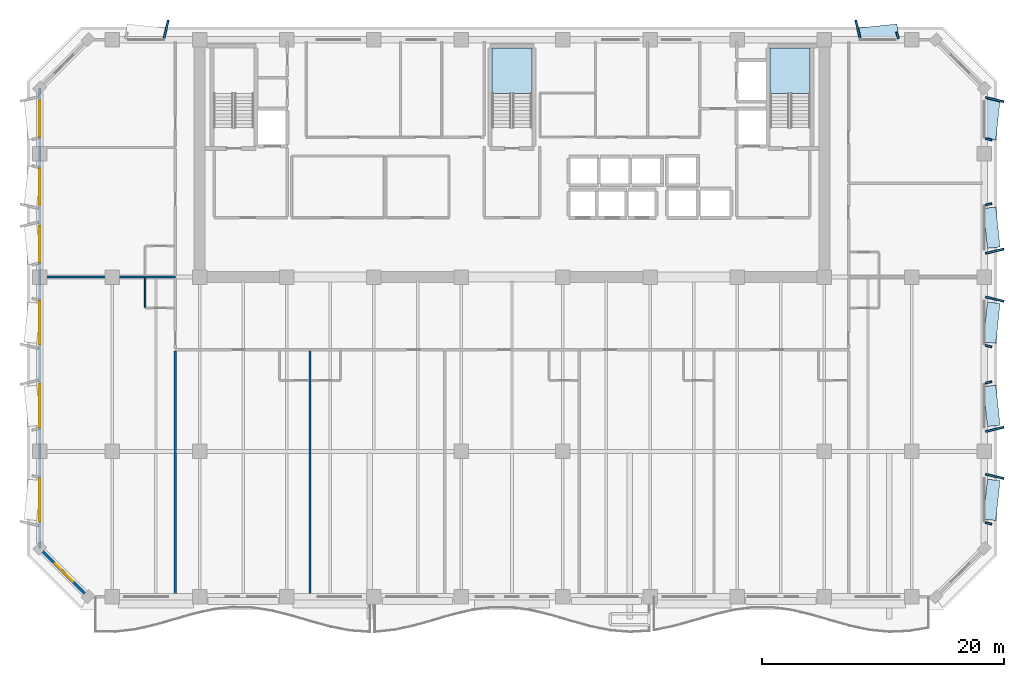
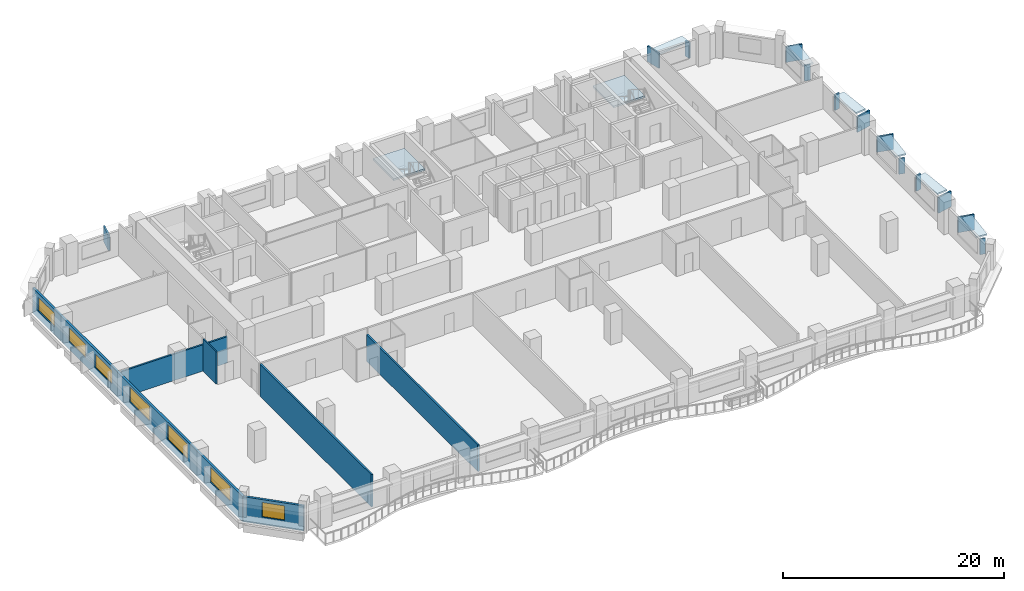
# One storey, part 3 of 14: 19 plates, 7 windows, 6 walls, 2 slabs, 7 openings, 2 elements without a shape of their own.
"""IFC4 building model written with IfcOpenShell, lengths in metres."""

from ifc_helpers import new_model, si_unit, direction, frame, frame_2d, origin, origin_2d, place, context, subcontext, project, spatial, polyline, rectangle, outline, extrude, material, layer, layer_set, type_object, element, fill, aggregate, save


model = new_model("IFC4")

# Units and contexts
model_context = context("Model", 3, precision=1e-05, world=origin(), true_north=direction((0.0, 1.0)))
body_context = subcontext(model_context, "Body", "Model", "MODEL_VIEW")
ifc_project = project(units=[si_unit("LENGTHUNIT", "METRE"), si_unit("AREAUNIT", "SQUARE_METRE"), si_unit("VOLUMEUNIT", "CUBIC_METRE"), si_unit("PLANEANGLEUNIT", "RADIAN"), si_unit("MASSUNIT", "GRAM", prefix="KILO")], contexts=[model_context])

# Site, building, storey
site_placement = place(None, origin())
site = spatial("IfcSite", under=ifc_project, at=site_placement, CompositionType="ELEMENT")
building_placement = place(site_placement, origin())
building = spatial("IfcBuilding", under=site, at=building_placement, Name="Kaelvorn Grand Hotel", CompositionType="ELEMENT")
storey_placement = place(building_placement, frame((0.0, 0.0, 209.14990234375)))
storey = spatial("IfcBuildingStorey", under=building, at=storey_placement, Name="L51", CompositionType="ELEMENT", Elevation=209.14990234375)

# Plates
ifc_material_1 = material(Name="Precast concrete C45/55", Category="concrete")
ifc_layer_1 = layer(ifc_material_1, 0.159912109375)
ifc_layer_set_1 = layer_set([ifc_layer_1], Name="Precast concrete C45/55")
plate_type_1 = type_object("IfcPlateType", Name="PL-FRAME-DEEP-1550", PredefinedType="USERDEFINED", material=ifc_layer_set_1)
for number, where, z_axis, x_axis, name in (
    (1, (81.85498046875, 12.93994140625, 0.81494140625), (0.0, 0.0, 1.0), (0.233445363856, 0.972369920398, 0.0), "L51 Tilted Precast Window Frame Fin R-E01"),
    (2, (81.85498046875, 16.824951171875, 0.81494140625), (0.0, 0.0, 1.0), (-0.233445363856, 0.972369920398, 0.0), "L51 Tilted Precast Window Frame Fin L-E02"),
    (3, (81.85498046875, 27.574951171875, 0.81494140625), (0.0, 0.0, 1.0), (0.233445363856, 0.972369920398, 0.0), "L51 Tilted Precast Window Frame Fin R-E03"),
    (4, (81.85498046875, 31.534912109375, 0.81494140625), (0.0, 0.0, 1.0), (-0.233445363856, 0.972369920398, 0.0), "L51 Tilted Precast Window Frame Fin L-E04"),
    (5, (81.85498046875, 44.054931640625, 0.740234375), (0.0, 0.0, 1.0), (0.233445363856, 0.972369920398, 0.0), "L51 Tilted Precast Window Frame Fin R-E05"),
    (6, (13.43994140625, 49.85498046875, 0.740234375), (0.0, 0.0, 1.0), (0.972369920398, -0.233445363856, 0.0), "L51 Tilted Precast Window Frame Fin R-N01"),
    (7, (70.56005859375, 49.85498046875, 0.740234375), (0.0, 0.0, 1.0), (0.972369920398, 0.233445363856, 0.0), "L51 Tilted Precast Window Frame Fin L-N02"),
):
    element("IfcPlate", number, at=place(storey_placement, frame(where, z_axis=z_axis, x_axis=x_axis)), inside=storey, type_object=plate_type_1, Name=name, ObjectType="FLANGE_PLATE", PredefinedType="USERDEFINED", context=body_context, shape_type="SweptSolid", body=[
        extrude(rectangle(XDim=0.159912109375, YDim=1.550048828125, at=origin_2d()), origin(), (0.0, 0.0, 1.0), 1.719970703125),
    ])
ifc_layer_2 = layer(ifc_material_1, 0.159912109375)
ifc_layer_set_2 = layer_set([ifc_layer_2], Name="Precast concrete C45/55")
plate_type_2 = type_object("IfcPlateType", Name="PL-FRAME-HEAD-1050", PredefinedType="USERDEFINED", material=ifc_layer_set_2)
for number, where, z_axis, x_axis, name in (
    (8, (81.60498046875, 11.0, 2.5), (0.0, 0.0, 1.0), (0.105830199459, 0.994384215926, 0.0), "L51 Precast Window Frame Head Hood H-E01"),
    (9, (81.60498046875, 18.764892578125, 2.5), (0.0, 0.0, 1.0), (-0.105830199459, 0.994384215926, 0.0), "L51 Precast Window Frame Head Hood H-E02"),
    (10, (81.60498046875, 25.635009765625, 2.5), (0.0, 0.0, 1.0), (0.105830199459, 0.994384215926, 0.0), "L51 Precast Window Frame Head Hood H-E03"),
    (11, (81.60498046875, 33.47509765625, 2.5), (0.0, 0.0, 1.0), (-0.105830199459, 0.994384215926, 0.0), "L51 Precast Window Frame Head Hood H-E04"),
    (12, (81.60498046875, 42.4150390625, 2.35009765625), (0.0, 0.0, 1.0), (0.105830199459, 0.994384215926, 0.0), "L51 Precast Window Frame Head Hood H-E05"),
    (13, (72.199951171875, 49.60498046875, 2.35009765625), (0.0, 0.0, 1.0), (0.994384215926, 0.105830199459, 0.0), "L51 Precast Window Frame Head Hood H-N02"),
):
    element("IfcPlate", number, at=place(storey_placement, frame(where, z_axis=z_axis, x_axis=x_axis)), inside=storey, type_object=plate_type_2, Name=name, ObjectType="FLANGE_PLATE", PredefinedType="USERDEFINED", context=body_context, shape_type="SweptSolid", body=[
        extrude(rectangle(XDim=3.320068359375, YDim=1.050048828125, at=origin_2d()), origin(), (0.0, 0.0, 1.0), 0.159912109375),
    ])
ifc_layer_3 = layer(ifc_material_1, 0.159912109375)
ifc_layer_set_3 = layer_set([ifc_layer_3], Name="Precast concrete C45/55")
plate_type_3 = type_object("IfcPlateType", Name="PL-FRAME-SHAL-550", PredefinedType="USERDEFINED", material=ifc_layer_set_3)
for number, where, z_axis, x_axis, name in (
    (14, (81.35498046875, 9.06005859375, 0.81494140625), (0.0, 0.0, 1.0), (0.233445363856, 0.972369920398, 0.0), "L51 Tilted Precast Window Frame Fin L-E01"),
    (15, (81.35498046875, 20.705078125, 0.81494140625), (0.0, 0.0, 1.0), (-0.233445363856, 0.972369920398, 0.0), "L51 Tilted Precast Window Frame Fin R-E02"),
    (16, (81.35498046875, 23.695068359375, 0.81494140625), (0.0, 0.0, 1.0), (0.233445363856, 0.972369920398, 0.0), "L51 Tilted Precast Window Frame Fin L-E03"),
    (17, (81.35498046875, 35.4150390625, 0.81494140625), (0.0, 0.0, 1.0), (-0.233445363856, 0.972369920398, 0.0), "L51 Tilted Precast Window Frame Fin R-E04"),
    (18, (81.35498046875, 40.77490234375, 0.740234375), (0.0, 0.0, 1.0), (0.233445363856, 0.972369920398, 0.0), "L51 Tilted Precast Window Frame Fin L-E05"),
    (19, (73.840087890625, 49.35498046875, 0.740234375), (0.0, 0.0, 1.0), (0.972369920398, 0.233445363856, 0.0), "L51 Tilted Precast Window Frame Fin R-N02"),
):
    element("IfcPlate", number, at=place(storey_placement, frame(where, z_axis=z_axis, x_axis=x_axis)), inside=storey, type_object=plate_type_3, Name=name, ObjectType="FLANGE_PLATE", PredefinedType="USERDEFINED", context=body_context, shape_type="SweptSolid", body=[
        extrude(rectangle(XDim=0.159912109375, YDim=0.550048828125, at=origin_2d()), origin(), (0.0, 0.0, 1.0), 1.719970703125),
    ])

# Stair, slab
ifc_material_2 = material(Name="Concrete C40/50", Category="concrete")
stair_type = type_object("IfcStairType", Name="STR-DOG-1560-R08", PredefinedType="HALF_TURN_STAIR", material=ifc_material_2)
stair_1_placement = place(storey_placement, origin())
stair_1 = element("IfcStair", 20, at=stair_1_placement, inside=storey, type_object=stair_type, Name="L51 Central Core Exit Stair ST2", PredefinedType="HALF_TURN_STAIR")
ifc_layer_4 = layer(ifc_material_2, 0.199951171875)
ifc_layer_set_4 = layer_set([ifc_layer_4], Name="Concrete C40/50")
slab_type = type_object("IfcSlabType", Name="SLB-LAND-200-C40", PredefinedType="LANDING", material=ifc_layer_set_4)
slab_1_placement = place(storey_placement, frame((0.0, 0.0, 1.7001953125)))
slab_1 = element("IfcSlab", 21, at=slab_1_placement, type_object=slab_type, Name="ST2 landing 1", PredefinedType="LANDING", context=body_context, shape_type="SweptSolid", body=[
    extrude(outline(polyline([(43.639892578125, 44.56005859375), (43.639892578125, 48.300048828125), (40.360107421875, 48.300048828125), (40.360107421875, 44.56005859375), (43.639892578125, 44.56005859375)])), origin(), (0.0, 0.0, 1.0), 0.199951171875),
])
aggregate(stair_1, [slab_1])

stair_2_placement = place(storey_placement, origin())
stair_2 = element("IfcStair", 22, at=stair_2_placement, inside=storey, type_object=stair_type, Name="L51 East Core Exit Stair ST3", PredefinedType="HALF_TURN_STAIR")
slab_2_placement = place(storey_placement, frame((0.0, 0.0, 1.7001953125)))
slab_2 = element("IfcSlab", 23, at=slab_2_placement, type_object=slab_type, Name="ST3 landing 1", PredefinedType="LANDING", context=body_context, shape_type="SweptSolid", body=[
    extrude(outline(polyline([(66.60009765625, 44.56005859375), (66.60009765625, 48.300048828125), (63.320068359375, 48.300048828125), (63.320068359375, 44.56005859375), (66.60009765625, 44.56005859375)])), origin(), (0.0, 0.0, 1.0), 0.199951171875),
])
aggregate(stair_2, [slab_2])

# Wall, openings, windows
ifc_layer_5 = layer(ifc_material_2, 0.239990234375)
ifc_layer_set_5 = layer_set([ifc_layer_5], Name="Concrete C40/50")
wall_type_1 = type_object("IfcWallType", Name="WL-EXT-240-C40", PredefinedType="SOLIDWALL", material=ifc_layer_set_5)
wall_1_placement = place(storey_placement, frame((3.0, 45.0, 0.0), z_axis=(0.0, 0.0, 1.0), x_axis=(0.0, -1.0, 0.0)))
wall_1 = element("IfcWall", 24, at=wall_1_placement, inside=storey, type_object=wall_type_1, Name="L51 Exterior Architectural Concrete Wall 07", PredefinedType="SOLIDWALL", context=body_context, shape_type="SweptSolid", body=[
    extrude(rectangle(XDim=38.0, YDim=0.239990234375, at=frame_2d((19.0, 0.0))), origin(), (0.0, 0.0, 1.0), 2.760009765625),
])
opening_1_placement = place(wall_1_placement, frame((32.199951171875, 0.0, 0.85009765625)))
opening_1 = element("IfcOpeningElement", 25, at=opening_1_placement, cuts=wall_1, Name="Opening W3", PredefinedType="OPENING", context=body_context, shape_type="SweptSolid", body=[
    extrude(rectangle(XDim=3.60009765625, YDim=1.64990234375, at=frame_2d((1.800048828125, 0.824951171875))), frame((0.0, 0.1298828125, 0.0), z_axis=(0.0, -1.0, 0.0), x_axis=(1.0, 0.0, 0.0)), (0.0, 0.0, 1.0), 0.260009765625),
])
opening_2_placement = place(wall_1_placement, frame((24.43505859375, 0.0, 0.85009765625)))
opening_2 = element("IfcOpeningElement", 26, at=opening_2_placement, cuts=wall_1, Name="Opening W3", PredefinedType="OPENING", context=body_context, shape_type="SweptSolid", body=[
    extrude(rectangle(XDim=3.60009765625, YDim=1.64990234375, at=frame_2d((1.800048828125, 0.824951171875))), frame((0.0, 0.1298828125, 0.0), z_axis=(0.0, -1.0, 0.0), x_axis=(1.0, 0.0, 0.0)), (0.0, 0.0, 1.0), 0.260009765625),
])
opening_3_placement = place(wall_1_placement, frame((17.56494140625, 0.0, 0.85009765625)))
opening_3 = element("IfcOpeningElement", 27, at=opening_3_placement, cuts=wall_1, Name="Opening W3", PredefinedType="OPENING", context=body_context, shape_type="SweptSolid", body=[
    extrude(rectangle(XDim=3.60009765625, YDim=1.64990234375, at=frame_2d((1.800048828125, 0.824951171875))), frame((0.0, 0.1298828125, 0.0), z_axis=(0.0, -1.0, 0.0), x_axis=(1.0, 0.0, 0.0)), (0.0, 0.0, 1.0), 0.260009765625),
])
opening_4_placement = place(wall_1_placement, frame((11.385009765625, 0.0, 0.85009765625)))
opening_4 = element("IfcOpeningElement", 28, at=opening_4_placement, cuts=wall_1, Name="Opening W5", PredefinedType="OPENING", context=body_context, shape_type="SweptSolid", body=[
    extrude(rectangle(XDim=3.0, YDim=1.5, at=frame_2d((1.5, 0.75))), frame((0.0, 0.1298828125, 0.0), z_axis=(0.0, -1.0, 0.0), x_axis=(1.0, 0.0, 0.0)), (0.0, 0.0, 1.0), 0.260009765625),
])
opening_5_placement = place(wall_1_placement, frame((6.614990234375, 0.0, 0.85009765625)))
opening_5 = element("IfcOpeningElement", 29, at=opening_5_placement, cuts=wall_1, Name="Opening W5", PredefinedType="OPENING", context=body_context, shape_type="SweptSolid", body=[
    extrude(rectangle(XDim=3.0, YDim=1.5, at=frame_2d((1.5, 0.75))), frame((0.0, 0.1298828125, 0.0), z_axis=(0.0, -1.0, 0.0), x_axis=(1.0, 0.0, 0.0)), (0.0, 0.0, 1.0), 0.260009765625),
])
opening_6_placement = place(wall_1_placement, frame((1.034912109375, 0.0, 0.85009765625)))
opening_6 = element("IfcOpeningElement", 30, at=opening_6_placement, cuts=wall_1, Name="Opening W5", PredefinedType="OPENING", context=body_context, shape_type="SweptSolid", body=[
    extrude(rectangle(XDim=3.0, YDim=1.5, at=frame_2d((1.5, 0.75))), frame((0.0, 0.1298828125, 0.0), z_axis=(0.0, -1.0, 0.0), x_axis=(1.0, 0.0, 0.0)), (0.0, 0.0, 1.0), 0.260009765625),
])
ifc_material_3 = material(Name="Laminated Low-E Glass", Category="glass")
window_type_1 = type_object("IfcWindowType", Name="WIN-NTH-3000x1500", PartitioningType="SINGLE_PANEL", PredefinedType="WINDOW", material=ifc_material_3)
window_1_placement = place(opening_4_placement, origin())
window_1 = element("IfcWindow", 31, at=window_1_placement, inside=storey, type_object=window_type_1, Name="L51 W Wing Tilted-Frame Ribbon Window W04", OverallHeight=1.5, OverallWidth=3.0, PartitioningType="SINGLE_PANEL", PredefinedType="WINDOW", context=body_context, shape_type="SweptSolid", body=[
    extrude(rectangle(XDim=3.0, YDim=1.5, at=frame_2d((1.5, 0.75))), frame((0.0, 0.030029296875, 0.0), z_axis=(0.0, -1.0, 0.0), x_axis=(1.0, 0.0, 0.0)), (0.0, 0.0, 1.0), 0.06005859375),
])
fill(opening_4, window_1)
window_2_placement = place(opening_5_placement, origin())
window_2 = element("IfcWindow", 32, at=window_2_placement, inside=storey, type_object=window_type_1, Name="L51 W Wing Tilted-Frame Ribbon Window W05", OverallHeight=1.5, OverallWidth=3.0, PartitioningType="SINGLE_PANEL", PredefinedType="WINDOW", context=body_context, shape_type="SweptSolid", body=[
    extrude(rectangle(XDim=3.0, YDim=1.5, at=frame_2d((1.5, 0.75))), frame((0.0, 0.030029296875, 0.0), z_axis=(0.0, -1.0, 0.0), x_axis=(1.0, 0.0, 0.0)), (0.0, 0.0, 1.0), 0.06005859375),
])
fill(opening_5, window_2)
window_3_placement = place(opening_6_placement, origin())
window_3 = element("IfcWindow", 33, at=window_3_placement, inside=storey, type_object=window_type_1, Name="L51 W Wing Tilted-Frame Ribbon Window W06", OverallHeight=1.5, OverallWidth=3.0, PartitioningType="SINGLE_PANEL", PredefinedType="WINDOW", context=body_context, shape_type="SweptSolid", body=[
    extrude(rectangle(XDim=3.0, YDim=1.5, at=frame_2d((1.5, 0.75))), frame((0.0, 0.030029296875, 0.0), z_axis=(0.0, -1.0, 0.0), x_axis=(1.0, 0.0, 0.0)), (0.0, 0.0, 1.0), 0.06005859375),
])
fill(opening_6, window_3)
window_type_2 = type_object("IfcWindowType", Name="WIN-RIB-3600x1750", PartitioningType="SINGLE_PANEL", PredefinedType="WINDOW", material=ifc_material_3)
window_4_placement = place(opening_1_placement, origin())
window_4 = element("IfcWindow", 34, at=window_4_placement, inside=storey, type_object=window_type_2, Name="L51 W Wing Tilted-Frame Ribbon Window W01", OverallHeight=1.64990234375, OverallWidth=3.60009765625, PartitioningType="SINGLE_PANEL", PredefinedType="WINDOW", context=body_context, shape_type="SweptSolid", body=[
    extrude(rectangle(XDim=3.60009765625, YDim=1.64990234375, at=frame_2d((1.800048828125, 0.824951171875))), frame((0.0, 0.030029296875, 0.0), z_axis=(0.0, -1.0, 0.0), x_axis=(1.0, 0.0, 0.0)), (0.0, 0.0, 1.0), 0.06005859375),
])
fill(opening_1, window_4)
window_5_placement = place(opening_2_placement, origin())
window_5 = element("IfcWindow", 35, at=window_5_placement, inside=storey, type_object=window_type_2, Name="L51 W Wing Tilted-Frame Ribbon Window W02", OverallHeight=1.64990234375, OverallWidth=3.60009765625, PartitioningType="SINGLE_PANEL", PredefinedType="WINDOW", context=body_context, shape_type="SweptSolid", body=[
    extrude(rectangle(XDim=3.60009765625, YDim=1.64990234375, at=frame_2d((1.800048828125, 0.824951171875))), frame((0.0, 0.030029296875, 0.0), z_axis=(0.0, -1.0, 0.0), x_axis=(1.0, 0.0, 0.0)), (0.0, 0.0, 1.0), 0.06005859375),
])
fill(opening_2, window_5)
window_6_placement = place(opening_3_placement, origin())
window_6 = element("IfcWindow", 36, at=window_6_placement, inside=storey, type_object=window_type_2, Name="L51 W Wing Tilted-Frame Ribbon Window W03", OverallHeight=1.64990234375, OverallWidth=3.60009765625, PartitioningType="SINGLE_PANEL", PredefinedType="WINDOW", context=body_context, shape_type="SweptSolid", body=[
    extrude(rectangle(XDim=3.60009765625, YDim=1.64990234375, at=frame_2d((1.800048828125, 0.824951171875))), frame((0.0, 0.030029296875, 0.0), z_axis=(0.0, -1.0, 0.0), x_axis=(1.0, 0.0, 0.0)), (0.0, 0.0, 1.0), 0.06005859375),
])
fill(opening_3, window_6)

# Wall, opening, window
wall_2_placement = place(storey_placement, frame((3.0, 7.0, 0.0), z_axis=(0.0, 0.0, 1.0), x_axis=(0.707106781187, -0.707106781187, 0.0)))
wall_2 = element("IfcWall", 37, at=wall_2_placement, inside=storey, type_object=wall_type_1, Name="L51 Exterior Architectural Concrete Wall 08", PredefinedType="SOLIDWALL", context=body_context, shape_type="SweptSolid", body=[
    extrude(rectangle(XDim=5.65673828125, YDim=0.239990234375, at=frame_2d((2.828369140625, 0.0))), origin(), (0.0, 0.0, 1.0), 2.760009765625),
])
opening_7_placement = place(wall_2_placement, frame((1.7783203125, 0.0, 0.85009765625)))
opening_7 = element("IfcOpeningElement", 38, at=opening_7_placement, cuts=wall_2, Name="Opening W7", PredefinedType="OPENING", context=body_context, shape_type="SweptSolid", body=[
    extrude(rectangle(XDim=2.10009765625, YDim=1.60009765625, at=frame_2d((1.050048828125, 0.800048828125))), frame((0.0, 0.1298828125, 0.0), z_axis=(0.0, -1.0, 0.0), x_axis=(1.0, 0.0, 0.0)), (0.0, 0.0, 1.0), 0.260009765625),
])
window_type_3 = type_object("IfcWindowType", Name="WIN-CHM-2100x1600", PartitioningType="SINGLE_PANEL", PredefinedType="WINDOW", material=ifc_material_3)
window_7_placement = place(opening_7_placement, origin())
window_7 = element("IfcWindow", 39, at=window_7_placement, inside=storey, type_object=window_type_3, Name="L51 Chamfered 45-Degree Corner Window SW", OverallHeight=1.60009765625, OverallWidth=2.10009765625, PartitioningType="SINGLE_PANEL", PredefinedType="WINDOW", context=body_context, shape_type="SweptSolid", body=[
    extrude(rectangle(XDim=2.10009765625, YDim=1.60009765625, at=frame_2d((1.050048828125, 0.800048828125))), frame((0.0, 0.030029296875, 0.0), z_axis=(0.0, -1.0, 0.0), x_axis=(1.0, 0.0, 0.0)), (0.0, 0.0, 1.0), 0.06005859375),
])
fill(opening_7, window_7)

# Walls
ifc_material_4 = material(Name="Moisture-Resistant Tile & Stud Board")
ifc_layer_6 = layer(ifc_material_4, 0.125)
ifc_layer_set_6 = layer_set([ifc_layer_6], Name="Moisture-Resistant Tile & Stud Board")
wall_type_2 = type_object("IfcWallType", Name="WL-PART-125-WET", PredefinedType="PARTITIONING", material=ifc_layer_set_6)
wall_3_placement = place(storey_placement, frame((11.699951171875, 26.91748046875, 0.0), z_axis=(0.0, 0.0, 1.0), x_axis=(0.0, 1.0, 0.0)))
element("IfcWall", 40, at=wall_3_placement, inside=storey, type_object=wall_type_2, Name="L51 En-suite Bathroom L51-06 W Partition", PredefinedType="PARTITIONING", context=body_context, shape_type="SweptSolid", body=[
    extrude(rectangle(XDim=2.387451171875, YDim=0.125, at=frame_2d((1.19384765625, 0.0))), origin(), (0.0, 0.0, 1.0), 3.56005859375),
])
ifc_material_5 = material(Name="Acoustic Gypsum & Stud Partition")
ifc_layer_7 = layer(ifc_material_5, 0.179931640625)
ifc_layer_set_7 = layer_set([ifc_layer_7], Name="Acoustic Gypsum & Stud Partition")
wall_type_3 = type_object("IfcWallType", Name="WL-PART-180-EI60", PredefinedType="PARTITIONING", material=ifc_layer_set_7)
wall_4_placement = place(storey_placement, frame((14.199951171875, 3.14990234375, 0.0), z_axis=(0.0, 0.0, 1.0), x_axis=(0.0, 1.0, 0.0)))
element("IfcWall", 41, at=wall_4_placement, inside=storey, type_object=wall_type_3, Name="L51 Mid-Rise Signature Suite L51-01 W Partition", PredefinedType="PARTITIONING", context=body_context, shape_type="SweptSolid", body=[
    extrude(rectangle(XDim=20.155029296875, YDim=0.179931640625, at=frame_2d((10.07763671875, 0.0))), origin(), (0.0, 0.0, 1.0), 3.56005859375),
])
wall_5_placement = place(storey_placement, frame((25.320068359375, 3.14990234375, 0.0), z_axis=(0.0, 0.0, 1.0), x_axis=(0.0, 1.0, 0.0)))
element("IfcWall", 42, at=wall_5_placement, inside=storey, type_object=wall_type_3, Name="L51 Mid-Rise Signature Suite L51-01 E Partition", PredefinedType="PARTITIONING", context=body_context, shape_type="SweptSolid", body=[
    extrude(rectangle(XDim=20.155029296875, YDim=0.179931640625, at=frame_2d((10.07763671875, 0.0))), origin(), (0.0, 0.0, 1.0), 2.93017578125),
])
wall_6_placement = place(storey_placement, frame((3.14990234375, 29.39990234375, 0.0), z_axis=(0.0, 0.0, 1.0), x_axis=(1.0, 0.0, 0.0)))
element("IfcWall", 43, at=wall_6_placement, inside=storey, type_object=wall_type_3, Name="L51 Presidential Sky Suite L51-06 N Partition", PredefinedType="PARTITIONING", context=body_context, shape_type="SweptSolid", body=[
    extrude(rectangle(XDim=11.050048828125, YDim=0.179931640625, at=frame_2d((5.52490234375, 0.0))), origin(), (0.0, 0.0, 1.0), 2.91015625),
])

save(model, "model.ifc")
